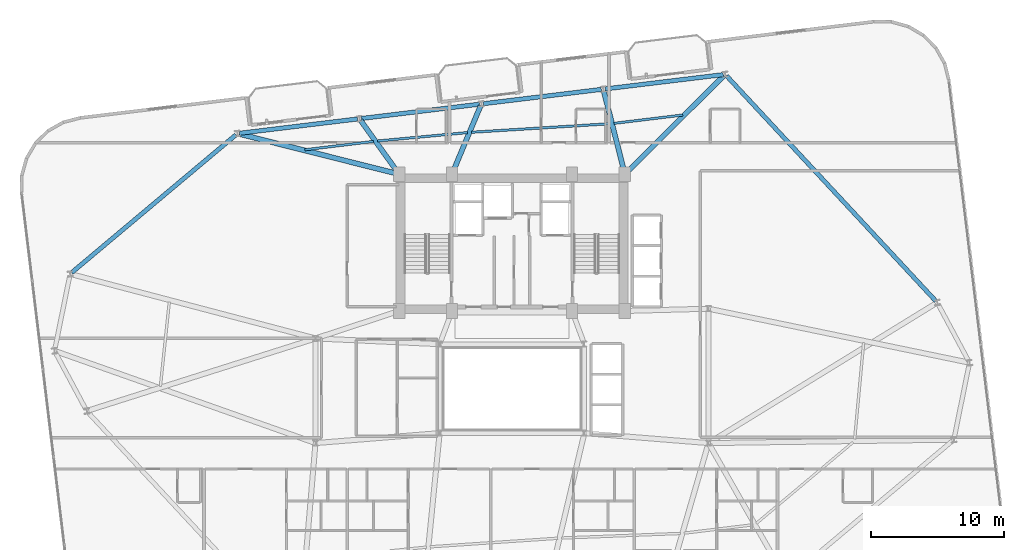
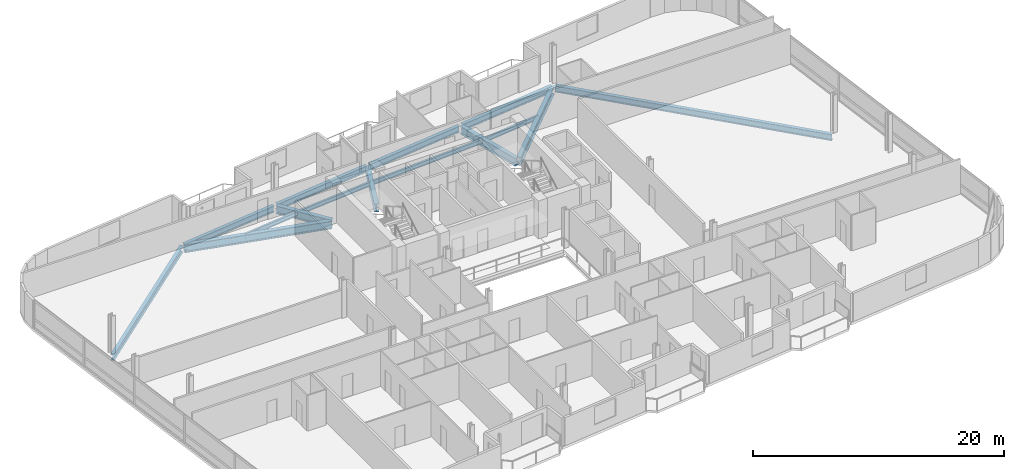
# One storey, part 9 of 24: 15 beams.
"""IFC4 building model written with IfcOpenShell, lengths in metres."""

from ifc_helpers import new_model, si_unit, direction, frame, origin, origin_2d, place, context, subcontext, project, spatial, i_section, extrude, material, material_profile, profile_set, type_object, element, save


model = new_model("IFC4")

# Units and contexts
model_context = context("Model", 3, precision=1e-05, world=origin(), true_north=direction((0.0, 1.0)))
body_context = subcontext(model_context, "Body", "Model", "MODEL_VIEW")
ifc_project = project(units=[si_unit("LENGTHUNIT", "METRE"), si_unit("AREAUNIT", "SQUARE_METRE"), si_unit("VOLUMEUNIT", "CUBIC_METRE"), si_unit("PLANEANGLEUNIT", "RADIAN"), si_unit("MASSUNIT", "GRAM", prefix="KILO")], contexts=[model_context])

# Site, building, storey
site_placement = place(None, origin())
site = spatial("IfcSite", under=ifc_project, at=site_placement, CompositionType="ELEMENT")
building_placement = place(site_placement, origin())
building = spatial("IfcBuilding", under=site, at=building_placement, Name="Varnelok Gate Tower", CompositionType="ELEMENT")
storey_placement = place(building_placement, frame((0.0, 0.0, 167.199951171875)))
storey = spatial("IfcBuildingStorey", under=building, at=storey_placement, Name="L42", CompositionType="ELEMENT", Elevation=167.199951171875)

# Beams
ifc_material = material(Name="Structural Steel ASTM A992 Grade 50", Category="steel")
ifc_material_profile_1 = material_profile(ifc_material, i_section(OverallWidth=0.180908203125, OverallDepth=0.4169921875, WebThickness=0.010986328125, FlangeThickness=0.018310546875, FilletRadius=0.013916015625, at=origin_2d()), Name="W16X57")
ifc_profile_set_1 = profile_set([ifc_material_profile_1], Name="Structural Steel ASTM A992 Grade 50")
beam_type_1 = type_object("IfcBeamType", Name="BM-JST-W16X57", PredefinedType="JOIST", material=ifc_profile_set_1)
beam_1_placement = place(storey_placement, frame((52.0576171875, 43.505859375, -0.45849609375), z_axis=(-0.99273192091, -0.120346720792, 0.0), x_axis=(0.120346720792, -0.99273192091, 0.0)))
element("IfcBeam", 1, at=beam_1_placement, inside=storey, type_object=beam_type_1, Name="L42 Sector Floor Joist 7", PredefinedType="JOIST", context=body_context, shape_type="SweptSolid", body=[
    extrude(i_section(OverallWidth=0.180908203125, OverallDepth=0.4169921875, WebThickness=0.010986328125, FlangeThickness=0.018310546875, FilletRadius=0.013916015625, at=origin_2d()), origin(), (0.0, 0.0, 1.0), 5.223876953125),
])
beam_2_placement = place(storey_placement, frame((46.59326171875, 42.8515625, -0.45849609375), z_axis=(-0.998103200864, -0.061562979331, 0.0), x_axis=(0.061562979331, -0.998103200864, 0.0)))
element("IfcBeam", 2, at=beam_2_placement, inside=storey, type_object=beam_type_1, Name="L42 Sector Floor Joist 8", PredefinedType="JOIST", context=body_context, shape_type="SweptSolid", body=[
    extrude(i_section(OverallWidth=0.180908203125, OverallDepth=0.4169921875, WebThickness=0.010986328125, FlangeThickness=0.018310546875, FilletRadius=0.013916015625, at=origin_2d()), origin(), (0.0, 0.0, 1.0), 10.477294921875),
])
beam_3_placement = place(storey_placement, frame((35.856689453125, 42.184814453125, -0.45849609375), z_axis=(-0.995647510316, -0.093198901289, 0.0), x_axis=(0.093198901289, -0.995647510316, 0.0)))
element("IfcBeam", 3, at=beam_3_placement, inside=storey, type_object=beam_type_1, Name="L42 Sector Floor Joist 9", PredefinedType="JOIST", context=body_context, shape_type="SweptSolid", body=[
    extrude(i_section(OverallWidth=0.180908203125, OverallDepth=0.4169921875, WebThickness=0.010986328125, FlangeThickness=0.018310546875, FilletRadius=0.013916015625, at=origin_2d()), origin(), (0.0, 0.0, 1.0), 6.82666015625),
])
beam_4_placement = place(storey_placement, frame((28.781494140625, 41.518798828125, -0.45849609375), z_axis=(-0.992726336158, -0.120392780092, 0.0), x_axis=(0.120392780092, -0.992726336158, 0.0)))
element("IfcBeam", 4, at=beam_4_placement, inside=storey, type_object=beam_type_1, Name="L42 Sector Floor Joist 10", PredefinedType="JOIST", context=body_context, shape_type="SweptSolid", body=[
    extrude(i_section(OverallWidth=0.180908203125, OverallDepth=0.4169921875, WebThickness=0.010986328125, FlangeThickness=0.018310546875, FilletRadius=0.013916015625, at=origin_2d()), origin(), (0.0, 0.0, 1.0), 5.223876953125),
])
ifc_material_profile_2 = material_profile(ifc_material, i_section(OverallWidth=0.381103515625, OverallDepth=0.77294921875, WebThickness=0.0166015625, FlangeThickness=0.027099609375, FilletRadius=0.02197265625, at=origin_2d()), Name="W30X173")
ifc_profile_set_2 = profile_set([ifc_material_profile_2], Name="Structural Steel ASTM A992 Grade 50")
beam_type_2 = type_object("IfcBeamType", Name="BM-PRI-W30X173", PredefinedType="BEAM", material=ifc_profile_set_2)
beam_5_placement = place(storey_placement, frame((47.806396484375, 39.15576171875, -0.636474609375), z_axis=(0.708989690383, 0.705218844707, 0.0), x_axis=(-0.705218844707, 0.708989690383, 0.0)))
element("IfcBeam", 5, at=beam_5_placement, inside=storey, type_object=beam_type_2, Name="L42 Radial Floor Girder 9", PredefinedType="BEAM", context=body_context, shape_type="SweptSolid", body=[
    extrude(i_section(OverallWidth=0.381103515625, OverallDepth=0.77294921875, WebThickness=0.0166015625, FlangeThickness=0.027099609375, FilletRadius=0.02197265625, at=origin_2d()), origin(), (0.0, 0.0, 1.0), 10.359130859375),
])
beam_6_placement = place(storey_placement, frame((47.6630859375, 39.1953125, -0.636474609375), z_axis=(-0.246004343354, 0.969268725922, 0.0), x_axis=(-0.969268725922, -0.246004343354, 0.0)))
element("IfcBeam", 6, at=beam_6_placement, inside=storey, type_object=beam_type_2, Name="L42 Radial Floor Girder 10", PredefinedType="BEAM", context=body_context, shape_type="SweptSolid", body=[
    extrude(i_section(OverallWidth=0.381103515625, OverallDepth=0.77294921875, WebThickness=0.0166015625, FlangeThickness=0.027099609375, FilletRadius=0.02197265625, at=origin_2d()), origin(), (0.0, 0.0, 1.0), 6.306884765625),
])
beam_7_placement = place(storey_placement, frame((34.73779296875, 39.1884765625, -0.636474609375), z_axis=(0.38573799398, 0.922608367619, 0.0), x_axis=(-0.922608367619, 0.38573799398, 0.0)))
element("IfcBeam", 7, at=beam_7_placement, inside=storey, type_object=beam_type_2, Name="L42 Radial Floor Girder 11", PredefinedType="BEAM", context=body_context, shape_type="SweptSolid", body=[
    extrude(i_section(OverallWidth=0.381103515625, OverallDepth=0.77294921875, WebThickness=0.0166015625, FlangeThickness=0.027099609375, FilletRadius=0.02197265625, at=origin_2d()), origin(), (0.0, 0.0, 1.0), 5.434326171875),
])
beam_8_placement = place(storey_placement, frame((30.61279296875, 39.172119140625, -0.636474609375), z_axis=(-0.582178250272, 0.81306118153, 0.0), x_axis=(-0.81306118153, -0.582178250272, 0.0)))
element("IfcBeam", 8, at=beam_8_placement, inside=storey, type_object=beam_type_2, Name="L42 Radial Floor Girder 12", PredefinedType="BEAM", context=body_context, shape_type="SweptSolid", body=[
    extrude(i_section(OverallWidth=0.381103515625, OverallDepth=0.77294921875, WebThickness=0.0166015625, FlangeThickness=0.027099609375, FilletRadius=0.02197265625, at=origin_2d()), origin(), (0.0, 0.0, 1.0), 4.837646484375),
])
beam_9_placement = place(storey_placement, frame((30.554443359375, 39.086669921875, -0.636474609375), z_axis=(-0.969752143123, 0.244091746906, 0.0), x_axis=(-0.244091746906, -0.969752143123, 0.0)))
element("IfcBeam", 9, at=beam_9_placement, inside=storey, type_object=beam_type_2, Name="L42 Radial Floor Girder 13", PredefinedType="BEAM", context=body_context, shape_type="SweptSolid", body=[
    extrude(i_section(OverallWidth=0.381103515625, OverallDepth=0.77294921875, WebThickness=0.0166015625, FlangeThickness=0.027099609375, FilletRadius=0.02197265625, at=origin_2d()), origin(), (0.0, 0.0, 1.0), 12.25341796875),
])
ifc_material_profile_3 = material_profile(ifc_material, i_section(OverallWidth=0.323974609375, OverallDepth=0.611083984375, WebThickness=0.0126953125, FlangeThickness=0.01904296875, FilletRadius=0.01806640625, at=origin_2d()), Name="W24X104")
ifc_profile_set_3 = profile_set([ifc_material_profile_3], Name="Structural Steel ASTM A992 Grade 50")
beam_type_3 = type_object("IfcBeamType", Name="BM-SPN-W24X104", PredefinedType="SPANDREL", material=ifc_profile_set_3)
beam_10_placement = place(storey_placement, frame((71.123291015625, 29.49365234375, -0.555419921875), z_axis=(-0.680734113922, 0.732530590585, 0.0), x_axis=(-0.732530590585, -0.680734113922, 0.0)))
element("IfcBeam", 10, at=beam_10_placement, inside=storey, type_object=beam_type_3, Name="L42 Perimeter Spandrel Beam 8", PredefinedType="SPANDREL", context=body_context, shape_type="SweptSolid", body=[
    extrude(i_section(OverallWidth=0.323974609375, OverallDepth=0.611083984375, WebThickness=0.0126953125, FlangeThickness=0.01904296875, FilletRadius=0.01806640625, at=origin_2d()), origin(), (0.0, 0.0, 1.0), 23.1572265625),
])
for number, where, z_axis, x_axis, name in (
    (11, (55.1083984375, 46.548828125, -0.555419921875), (-0.992734670707, -0.120324035735, 0.0), (0.120324035735, -0.992734670707, 0.0), "L42 Perimeter Spandrel Beam 9"),
    (12, (45.92578125, 45.435791015625, -0.555419921875), (-0.99273141198, -0.120350918849, 0.0), (0.120350918849, -0.99273141198, 0.0), "L42 Perimeter Spandrel Beam 10"),
    (13, (36.742919921875, 44.322509765625, -0.555419921875), (-0.992734670707, -0.120324035735, 0.0), (0.120324035735, -0.992734670707, 0.0), "L42 Perimeter Spandrel Beam 11"),
    (14, (27.56005859375, 43.209228515625, -0.555419921875), (-0.992734670707, -0.120324035735, 0.0), (0.120324035735, -0.992734670707, 0.0), "L42 Perimeter Spandrel Beam 12"),
):
    element("IfcBeam", number, at=place(storey_placement, frame(where, z_axis=z_axis, x_axis=x_axis)), inside=storey, type_object=beam_type_3, Name=name, PredefinedType="SPANDREL", context=body_context, shape_type="SweptSolid", body=[
        extrude(i_section(OverallWidth=0.323974609375, OverallDepth=0.611083984375, WebThickness=0.0126953125, FlangeThickness=0.01904296875, FilletRadius=0.01806640625, at=origin_2d()), origin(), (0.0, 0.0, 1.0), 8.949951171875),
    ])
beam_11_placement = place(storey_placement, frame((18.411376953125, 42.017822265625, -0.555419921875), z_axis=(-0.766099582792, -0.642721891059, 0.0), x_axis=(0.642721891059, -0.766099582792, 0.0)))
element("IfcBeam", 15, at=beam_11_placement, inside=storey, type_object=beam_type_3, Name="L42 Perimeter Spandrel Beam 13", PredefinedType="SPANDREL", context=body_context, shape_type="SweptSolid", body=[
    extrude(i_section(OverallWidth=0.323974609375, OverallDepth=0.611083984375, WebThickness=0.0126953125, FlangeThickness=0.01904296875, FilletRadius=0.01806640625, at=origin_2d()), origin(), (0.0, 0.0, 1.0), 16.151123046875),
])

save(model, "model.ifc")
